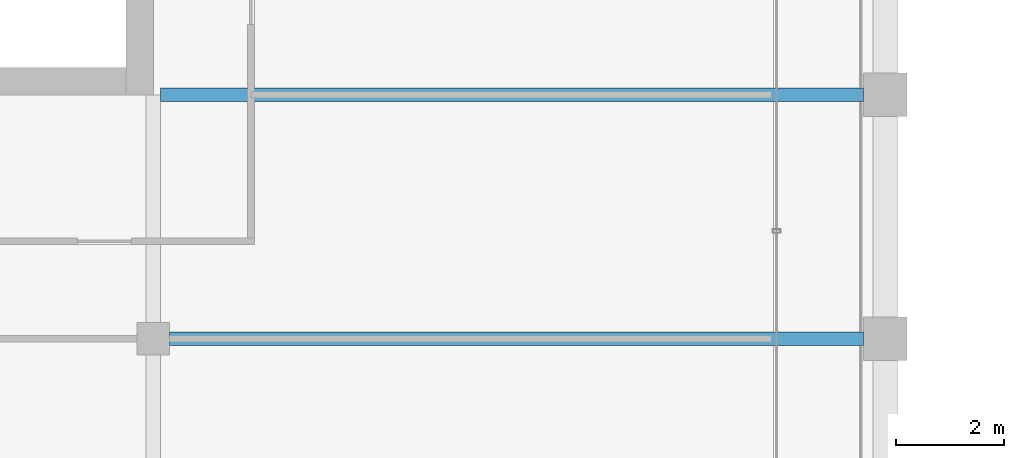
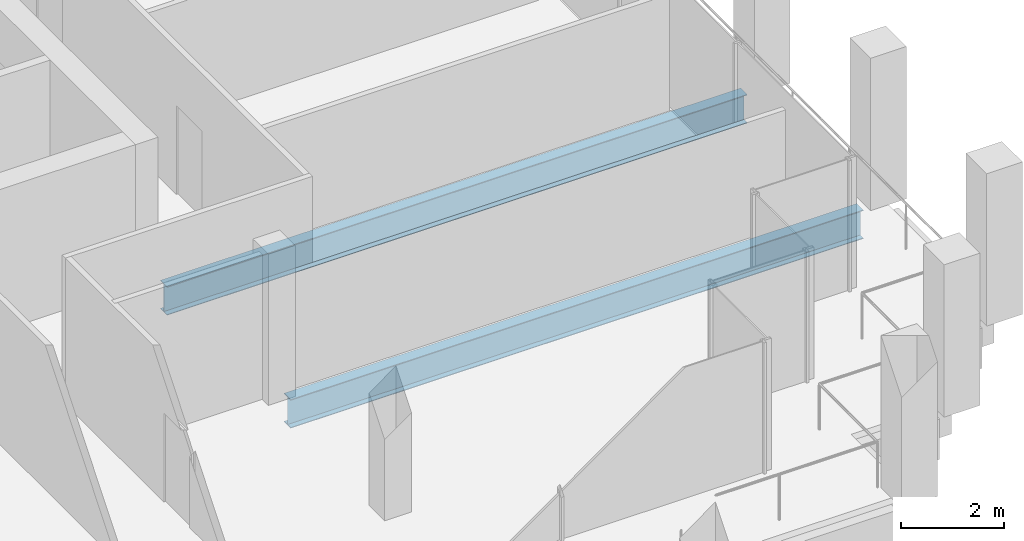
# One storey, part 14 of 41: 2 beams.
"""IFC4 building model written with IfcOpenShell, lengths in metres."""

import ifcopenshell
import ifcopenshell.guid

model = None  # the IFC model being written
_history = None  # IfcOwnerHistory: only IFC2X3 demands one
_inside = {}  # id of a spatial element -> (the spatial element, [elements in it])
_under = {}  # id of a project, library or spatial element -> (it, [spatial elements below it])
_declared = {}  # id of a project -> (the project, [libraries it declares])
_typed = {}  # id of a type object -> (the type object, [elements of that type])
_made_of = {}  # id of a material, layer set ... -> (it, [elements and type objects made of it])


def new_model(schema):
    """Start an empty IFC model of exactly this schema.

    Asked for "IFC4X3", IfcOpenShell would pick the latest addendum, in which some entities
    have other attributes; the version numbers below select the first issue.
    IFC2X3 requires an IfcOwnerHistory on every rooted entity: one is made here for all.
    """
    global model, _history
    if schema == "IFC4X3":
        model = ifcopenshell.file(schema_version=(4, 3, 0, 0))
    else:
        model = ifcopenshell.file(schema=schema)
    _inside.clear()
    _under.clear()
    _declared.clear()
    _typed.clear()
    _made_of.clear()
    _history = None
    if model.schema == "IFC2X3":
        org = make("IfcOrganization", Name="unknown")
        user = make(
            "IfcPersonAndOrganization",
            ThePerson=make("IfcPerson", FamilyName="unknown"),
            TheOrganization=org,
        )
        app = make(
            "IfcApplication",
            ApplicationDeveloper=org,
            Version="unknown",
            ApplicationFullName="unknown",
            ApplicationIdentifier="unknown",
        )
        _history = make(
            "IfcOwnerHistory",
            OwningUser=user,
            OwningApplication=app,
            ChangeAction="ADDED",
            CreationDate=0,
        )
    return model


def make(cls, **values):
    """One entity of the class cls with the attributes given. An attribute that is None is left unset."""
    return model.create_entity(
        cls, **{name: value for name, value in values.items() if value is not None}
    )


def rooted(cls, **values):
    """An entity with a GlobalId (a new one), such as an element, a storey or a relation."""
    return make(cls, GlobalId=ifcopenshell.guid.new(), OwnerHistory=_history, **values)


def si_unit(unit_type, name, prefix=None):
    """IfcSIUnit, for example si_unit("LENGTHUNIT", "METRE", prefix="MILLI")."""
    return make("IfcSIUnit", UnitType=unit_type, Prefix=prefix, Name=name)


def assignment(units):
    """IfcUnitAssignment: the units of a project."""
    return None if units is None else make("IfcUnitAssignment", Units=units)


def point(xyz):
    """IfcCartesianPoint."""
    return None if xyz is None else make("IfcCartesianPoint", Coordinates=xyz)


def direction(xyz):
    """IfcDirection."""
    return None if xyz is None else make("IfcDirection", DirectionRatios=xyz)


def frame(location, z_axis=None, x_axis=None):
    """IfcAxis2Placement3D, a coordinate frame: its origin and axes. An axis left out is left unset."""
    return make(
        "IfcAxis2Placement3D",
        Location=point(location),
        Axis=direction(z_axis),
        RefDirection=direction(x_axis),
    )


def frame_2d(location, x_axis=None):
    """IfcAxis2Placement2D, a coordinate frame in the plane: its origin and x axis."""
    return make(
        "IfcAxis2Placement2D", Location=point(location), RefDirection=direction(x_axis)
    )


def origin():
    """The frame at (0, 0, 0) with its axes left unset."""
    return frame((0.0, 0.0, 0.0))


def origin_2d():
    """The frame at (0, 0) in the plane with its x axis left unset."""
    return frame_2d((0.0, 0.0))


def place(relative_to, where):
    """IfcLocalPlacement: puts the frame where relative to a parent placement (None: the world)."""
    return make(
        "IfcLocalPlacement", PlacementRelTo=relative_to, RelativePlacement=where
    )


def context(
    kind, dimensions, precision=None, world=None, true_north=None, identifier=None
):
    """IfcGeometricRepresentationContext, for example the 3D "Model" context."""
    return make(
        "IfcGeometricRepresentationContext",
        ContextIdentifier=identifier,
        ContextType=kind,
        CoordinateSpaceDimension=dimensions,
        Precision=precision,
        WorldCoordinateSystem=world,
        TrueNorth=true_north,
    )


def subcontext(parent, identifier, kind, view, scale=None):
    """IfcGeometricRepresentationSubContext, for example "Body" below "Model"."""
    return make(
        "IfcGeometricRepresentationSubContext",
        ContextIdentifier=identifier,
        ContextType=kind,
        ParentContext=parent,
        TargetScale=scale,
        TargetView=view,
    )


def project(units=None, contexts=None):
    """IfcProject with its units and contexts."""
    return rooted(
        "IfcProject",
        Name="project",
        RepresentationContexts=contexts,
        UnitsInContext=assignment(units),
    )


def spatial(cls, under=None, at=None, **own):
    """A site, building, storey or space (cls), placed at a placement, below another one or the project."""
    s = rooted(cls, ObjectPlacement=at, **own)
    if under is not None:
        _under.setdefault(under.id(), (under, []))[1].append(s)
    return s


def profile(cls, at=None, kind="AREA", **sizes):
    """A parametric profile (cls). Its sizes go by their IFC names, for example OverallWidth=200.0."""
    return make(cls, ProfileType=kind, Position=at, **sizes)


def i_section(**sizes):
    """IfcIShapeProfileDef."""
    return profile("IfcIShapeProfileDef", **sizes)


def extrude(swept, where, along, depth):
    """IfcExtrudedAreaSolid: the profile swept, set in the frame where, extruded along a direction by depth."""
    return make(
        "IfcExtrudedAreaSolid",
        SweptArea=swept,
        Position=where,
        ExtrudedDirection=direction(along),
        Depth=depth,
    )


def shape(context_of_items, identifier, shape_type, items):
    """IfcShapeRepresentation: the items that make up one representation, for example the "Body"."""
    return make(
        "IfcShapeRepresentation",
        ContextOfItems=context_of_items,
        RepresentationIdentifier=identifier,
        RepresentationType=shape_type,
        Items=items,
    )


def material(Name=None, Category=None):
    """IfcMaterial."""
    return make("IfcMaterial", Name=Name, Category=Category)


def material_profile(
    of_material, cross_section, Name=None, Category=None, Priority=None
):
    """IfcMaterialProfile: a cross section and its material."""
    return make(
        "IfcMaterialProfile",
        Name=Name,
        Material=of_material,
        Profile=cross_section,
        Priority=Priority,
        Category=Category,
    )


def profile_set(profiles, Name=None, composite=None):
    """IfcMaterialProfileSet."""
    return make(
        "IfcMaterialProfileSet",
        Name=Name,
        MaterialProfiles=profiles,
        CompositeProfile=composite,
    )


def made_of(thing, what):
    """Note that an element or type object is made of a material, layer set ...; save() writes the relation."""
    if what is not None:
        _made_of.setdefault(what.id(), (what, []))[1].append(thing)
    return thing


def type_object(cls, material=None, **own):
    """A type object (cls), such as IfcWallType, which elements share."""
    return made_of(rooted(cls, **own), material)


def element(
    cls,
    number,
    at=None,
    inside=None,
    cuts=None,
    type_object=None,
    material=None,
    context=None,
    identifier="Body",
    shape_type=None,
    held_by="IfcProductDefinitionShape",
    body=None,
    shapes=None,
    **own,
):
    """One element of the class cls, such as IfcWall. Its Tag is "e" and its number.

    at: its placement. inside: the storey or other place that contains it. cuts: it is an
    opening in that element (IfcRelVoidsElement). A single representation is given by context,
    identifier, shape_type and body (its items); several are given by shapes. held_by: the class
    of the entity that holds the representations. save() writes the other relations.
    """
    e = rooted(cls, Tag="e%d" % number, ObjectPlacement=at, **own)
    if body is not None:
        shapes = [shape(context, identifier, shape_type, body)]
    if shapes is not None:
        e.Representation = make(held_by, Representations=shapes)
    if inside is not None:
        _inside.setdefault(inside.id(), (inside, []))[1].append(e)
    if cuts is not None:
        rooted(
            "IfcRelVoidsElement", RelatingBuildingElement=cuts, RelatedOpeningElement=e
        )
    if type_object is not None:
        _typed.setdefault(type_object.id(), (type_object, []))[1].append(e)
    return made_of(e, material)


def aggregate(whole, parts):
    """IfcRelAggregates: a whole, such as a stair, and the parts it consists of."""
    return rooted("IfcRelAggregates", RelatingObject=whole, RelatedObjects=parts)


def save(model, path):
    """Write the relations noted so far, then the file.

    IfcRelAggregates (storeys below a building ...), IfcRelContainedInSpatialStructure (elements
    in a storey), IfcRelDefinesByType, IfcRelAssociatesMaterial and IfcRelDeclares: one each for
    every whole, place, type object, material and project.
    """
    for whole, parts in _under.values():
        aggregate(whole, parts)
    for where, things in _inside.values():
        rooted(
            "IfcRelContainedInSpatialStructure",
            RelatedElements=things,
            RelatingStructure=where,
        )
    for kind, things in _typed.values():
        rooted("IfcRelDefinesByType", RelatedObjects=things, RelatingType=kind)
    for what, things in _made_of.values():
        rooted("IfcRelAssociatesMaterial", RelatedObjects=things, RelatingMaterial=what)
    for by, libraries in _declared.values():
        rooted("IfcRelDeclares", RelatingContext=by, RelatedDefinitions=libraries)
    model.write(path)


model = new_model("IFC4")

# Units and contexts
model_context = context("Model", 3, precision=1e-05, world=origin(), true_north=direction((0.0, 1.0)))
body_context = subcontext(model_context, "Body", "Model", "MODEL_VIEW")
ifc_project = project(units=[si_unit("LENGTHUNIT", "METRE"), si_unit("AREAUNIT", "SQUARE_METRE"), si_unit("VOLUMEUNIT", "CUBIC_METRE"), si_unit("PLANEANGLEUNIT", "RADIAN"), si_unit("MASSUNIT", "GRAM", prefix="KILO")], contexts=[model_context])

# Site, building, storey
site_placement = place(None, origin())
site = spatial("IfcSite", under=ifc_project, at=site_placement, CompositionType="ELEMENT")
building_placement = place(site_placement, origin())
building = spatial("IfcBuilding", under=site, at=building_placement, Name="Altepetl Exchange Towers", CompositionType="ELEMENT")
storey_placement = place(building_placement, frame((0.0, 0.0, 206.39990234375)))
storey = spatial("IfcBuildingStorey", under=building, at=storey_placement, Name="L52", CompositionType="ELEMENT", Elevation=206.39990234375)

# Beams
ifc_material = material(Name="Steel S355", Category="steel")
ifc_material_profile = material_profile(ifc_material, i_section(OverallWidth=0.2529296875, OverallDepth=0.677978515625, WebThickness=0.01171875, FlangeThickness=0.016357421875, at=origin_2d()), Name="W27X84")
ifc_profile_set = profile_set([ifc_material_profile], Name="Steel S355")
beam_type = type_object("IfcBeamType", Name="Floor beam W27X84", PredefinedType="BEAM", material=ifc_profile_set)
beam_1_placement = place(storey_placement, frame((58.800048828125, 36.0, -0.489013671875), z_axis=(1.0, 0.0, 0.0), x_axis=(0.0, 1.0, 0.0)))
element("IfcBeam", 1, at=beam_1_placement, inside=storey, type_object=beam_type, Name="bm:A:L52:007", PredefinedType="BEAM", context=body_context, shape_type="SweptSolid", body=[
    extrude(i_section(OverallWidth=0.2529296875, OverallDepth=0.677978515625, WebThickness=0.01171875, FlangeThickness=0.016357421875, at=origin_2d()), origin(), (0.0, 0.0, 1.0), 12.800048828125),
])
beam_2_placement = place(storey_placement, frame((58.634033203125, 40.5, -0.489013671875), z_axis=(1.0, 0.0, 0.0), x_axis=(0.0, 1.0, 0.0)))
element("IfcBeam", 2, at=beam_2_placement, inside=storey, type_object=beam_type, Name="bm:A:L52:008", PredefinedType="BEAM", context=body_context, shape_type="SweptSolid", body=[
    extrude(i_section(OverallWidth=0.2529296875, OverallDepth=0.677978515625, WebThickness=0.01171875, FlangeThickness=0.016357421875, at=origin_2d()), origin(), (0.0, 0.0, 1.0), 12.966064453125),
])

save(model, "model.ifc")
